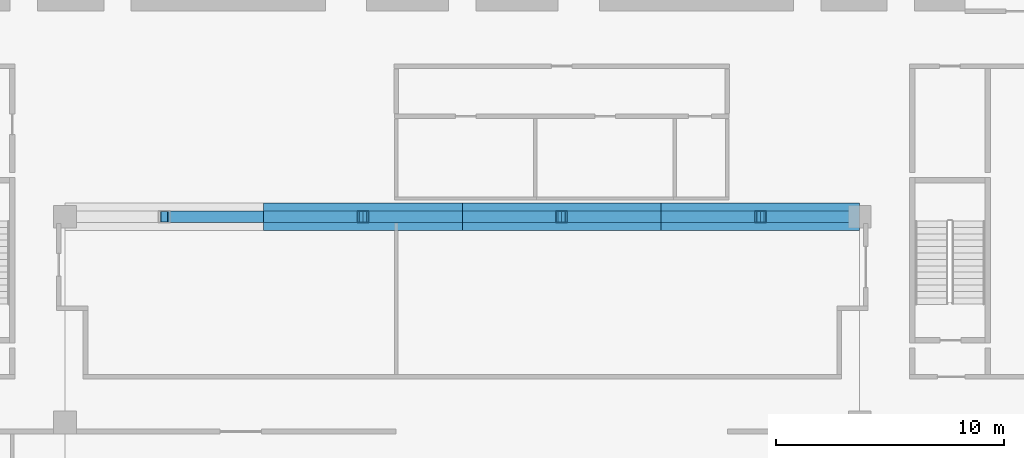
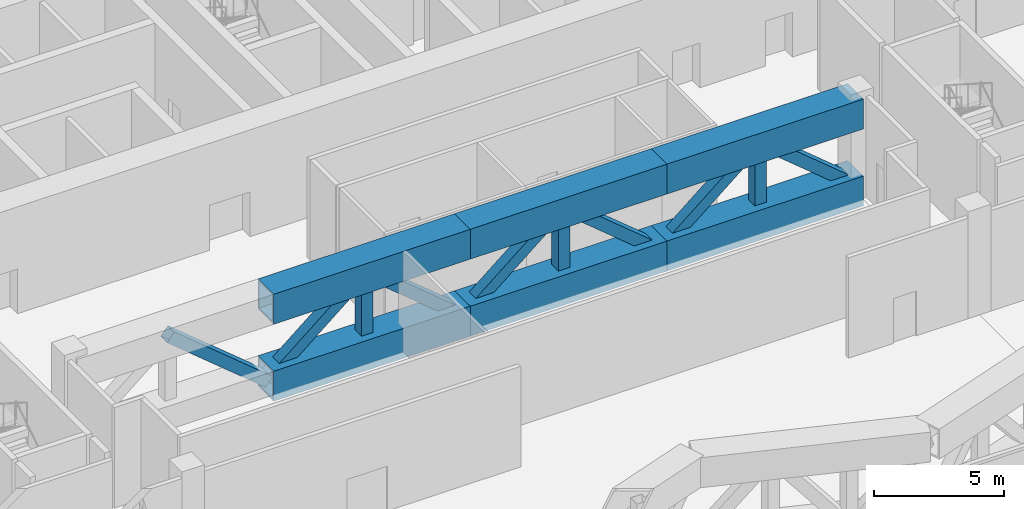
# One storey, part 6 of 22: 13 members, 3 beams.
"""IFC4 building model written with IfcOpenShell, lengths in metres."""

from ifc_helpers import new_model, si_unit, direction, frame, origin, origin_2d, place, context, subcontext, project, spatial, hollow_rectangle, extrude, material, material_profile, profile_set, type_object, element, save


model = new_model("IFC4")

# Units and contexts
model_context = context("Model", 3, precision=1e-05, world=origin(), true_north=direction((0.0, 1.0)))
body_context = subcontext(model_context, "Body", "Model", "MODEL_VIEW")
ifc_project = project(units=[si_unit("LENGTHUNIT", "METRE"), si_unit("AREAUNIT", "SQUARE_METRE"), si_unit("VOLUMEUNIT", "CUBIC_METRE"), si_unit("PLANEANGLEUNIT", "RADIAN"), si_unit("MASSUNIT", "GRAM", prefix="KILO")], contexts=[model_context])

# Site, building, storey
site_placement = place(None, origin())
site = spatial("IfcSite", under=ifc_project, at=site_placement, CompositionType="ELEMENT")
building_placement = place(site_placement, origin())
building = spatial("IfcBuilding", under=site, at=building_placement, Name="Bicima Exchange Tower", CompositionType="ELEMENT")
storey_placement = place(building_placement, frame((0.0, 0.0, 20.0)))
storey = spatial("IfcBuildingStorey", under=building, at=storey_placement, Name="L03", CompositionType="ELEMENT", Elevation=20.0)

# Members
ifc_material = material(Name="Steel ASTM A572 Gr 50", Category="steel")
ifc_material_profile_1 = material_profile(ifc_material, hollow_rectangle(XDim=1.199951171875, YDim=1.39990234375, WallThickness=0.080078125, at=origin_2d()))
ifc_profile_set_1 = profile_set([ifc_material_profile_1], Name="Steel ASTM A572 Gr 50")
member_type_1 = type_object("IfcMemberType", Name="Transfer truss chord BOX 1200x1400x80", PredefinedType="CHORD", material=ifc_profile_set_1)
for number, where, z_axis, x_axis, name in (
    (1, (-8.699951171875, -22.0, 0.39990234375), (1.0, 0.0, 0.0), (0.0, 1.0, 0.0), "Bottom chord"),
    (2, (0.0, -22.0, 0.39990234375), (1.0, 0.0, 0.0), (0.0, 1.0, 0.0), "Bottom chord"),
    (3, (8.699951171875, -22.0, 0.39990234375), (1.0, 0.0, 0.0), (0.0, 1.0, 0.0), "Bottom chord"),
):
    element("IfcMember", number, at=place(storey_placement, frame(where, z_axis=z_axis, x_axis=x_axis)), inside=storey, type_object=member_type_1, Name=name, PredefinedType="CHORD", context=body_context, shape_type="SweptSolid", body=[
        extrude(hollow_rectangle(XDim=1.199951171875, YDim=1.39990234375, WallThickness=0.080078125, at=origin_2d()), origin(), (0.0, 0.0, 1.0), 8.699951171875),
    ])
ifc_material_profile_2 = material_profile(ifc_material, hollow_rectangle(XDim=0.508056640625, YDim=0.508056640625, WallThickness=0.017822265625, at=origin_2d()))
ifc_profile_set_2 = profile_set([ifc_material_profile_2], Name="Steel ASTM A572 Gr 50")
member_type_2 = type_object("IfcMemberType", Name="Transfer truss diagonal HSS20x20x3/4", PredefinedType="STRUT", material=ifc_profile_set_2)
for number, where, z_axis, x_axis, name in (
    (4, (-13.050048828125, -22.0, 4.0), (0.770392856504, 0.0, -0.637569483781), (0.0, 1.0, 0.0), "Truss diagonal"),
    (5, (-8.699951171875, -22.0, 0.39990234375), (0.770375280099, 0.0, 0.637590721241), (0.0, 1.0, 0.0), "Truss diagonal"),
    (6, (-4.35009765625, -22.0, 4.0), (0.770392856504, 0.0, -0.637569483781), (0.0, 1.0, 0.0), "Truss diagonal"),
    (7, (0.0, -22.0, 0.39990234375), (0.770392856504, 0.0, 0.637569483781), (0.0, 1.0, 0.0), "Truss diagonal"),
    (8, (4.35009765625, -22.0, 4.0), (0.770375280099, 0.0, -0.637590721241), (0.0, 1.0, 0.0), "Truss diagonal"),
    (9, (8.699951171875, -22.0, 0.39990234375), (0.770392856504, 0.0, 0.637569483781), (0.0, 1.0, 0.0), "Truss diagonal"),
    (10, (13.050048828125, -22.0, 4.0), (0.770375280099, 0.0, -0.637590721241), (0.0, 1.0, 0.0), "Truss diagonal"),
):
    element("IfcMember", number, at=place(storey_placement, frame(where, z_axis=z_axis, x_axis=x_axis)), inside=storey, type_object=member_type_2, Name=name, PredefinedType="STRUT", context=body_context, shape_type="SweptSolid", body=[
        extrude(hollow_rectangle(XDim=0.508056640625, YDim=0.508056640625, WallThickness=0.017822265625, at=origin_2d()), origin(), (0.0, 0.0, 1.0), 5.646484375),
    ])
ifc_material_profile_3 = material_profile(ifc_material, hollow_rectangle(XDim=0.508056640625, YDim=0.508056640625, WallThickness=0.0146484375, at=origin_2d()))
ifc_profile_set_3 = profile_set([ifc_material_profile_3], Name="Steel ASTM A572 Gr 50")
member_type_3 = type_object("IfcMemberType", Name="Transfer truss post HSS20x20x5/8", PredefinedType="POST", material=ifc_profile_set_3)
for number, where, z_axis, x_axis, name in (
    (11, (-4.35009765625, -22.0, 0.39990234375), (0.0, 0.0, 1.0), (1.0, 0.0, 0.0), "Truss post"),
    (12, (4.35009765625, -22.0, 0.39990234375), (0.0, 0.0, 1.0), (1.0, 0.0, 0.0), "Truss post"),
    (13, (13.050048828125, -22.0, 0.39990234375), (0.0, 0.0, 1.0), (1.0, 0.0, 0.0), "Truss post"),
):
    element("IfcMember", number, at=place(storey_placement, frame(where, z_axis=z_axis, x_axis=x_axis)), inside=storey, type_object=member_type_3, Name=name, PredefinedType="POST", context=body_context, shape_type="SweptSolid", body=[
        extrude(hollow_rectangle(XDim=0.508056640625, YDim=0.508056640625, WallThickness=0.0146484375, at=origin_2d()), origin(), (0.0, 0.0, 1.0), 3.60009765625),
    ])

# Beams
beam_type = type_object("IfcBeamType", Name="Transfer truss top chord BOX 1200x1400x80", PredefinedType="BEAM", material=ifc_profile_set_1)
for number, where, z_axis, x_axis, name in (
    (14, (-8.699951171875, -22.0, 4.0), (1.0, 0.0, 0.0), (0.0, 1.0, 0.0), "Transfer girder"),
    (15, (0.0, -22.0, 4.0), (1.0, 0.0, 0.0), (0.0, 1.0, 0.0), "Transfer girder"),
    (16, (8.699951171875, -22.0, 4.0), (1.0, 0.0, 0.0), (0.0, 1.0, 0.0), "Transfer girder"),
):
    element("IfcBeam", number, at=place(storey_placement, frame(where, z_axis=z_axis, x_axis=x_axis)), inside=storey, type_object=beam_type, Name=name, PredefinedType="BEAM", context=body_context, shape_type="SweptSolid", body=[
        extrude(hollow_rectangle(XDim=1.199951171875, YDim=1.39990234375, WallThickness=0.080078125, at=origin_2d()), origin(), (0.0, 0.0, 1.0), 8.699951171875),
    ])

save(model, "model.ifc")
